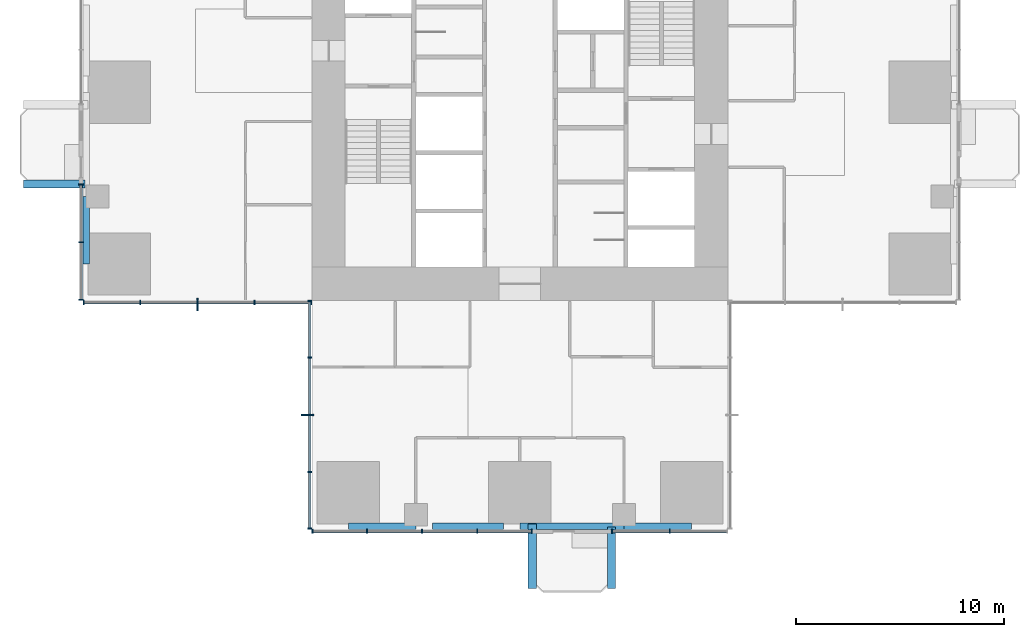
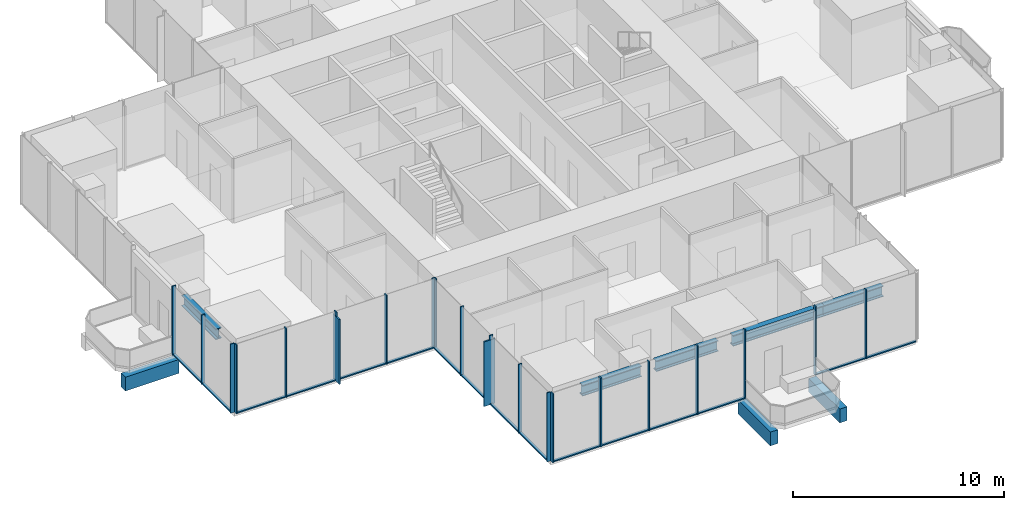
# One storey, part 2 of 13: 38 members, 8 beams, 5 elements without a shape of their own.
"""IFC4 building model written with IfcOpenShell, lengths in metres."""

from ifc_helpers import new_model, si_unit, direction, frame, origin, origin_2d, place, context, subcontext, project, spatial, rectangle, i_section, extrude, material, material_profile, profile_set, type_object, element, aggregate, save


model = new_model("IFC4")

# Units and contexts
model_context = context("Model", 3, precision=1e-05, world=origin(), true_north=direction((0.0, 1.0)))
body_context = subcontext(model_context, "Body", "Model", "MODEL_VIEW")
ifc_project = project(units=[si_unit("LENGTHUNIT", "METRE"), si_unit("AREAUNIT", "SQUARE_METRE"), si_unit("VOLUMEUNIT", "CUBIC_METRE"), si_unit("PLANEANGLEUNIT", "RADIAN"), si_unit("MASSUNIT", "GRAM", prefix="KILO")], contexts=[model_context])

# Site, building, storey
site_placement = place(None, origin())
site = spatial("IfcSite", under=ifc_project, at=site_placement, CompositionType="ELEMENT")
building_placement = place(site_placement, origin())
building = spatial("IfcBuilding", under=site, at=building_placement, Name="Svetlomir Tower", CompositionType="ELEMENT")
storey_placement = place(building_placement, frame((0.0, 0.0, 128.5)))
storey = spatial("IfcBuildingStorey", under=building, at=storey_placement, Name="L30", CompositionType="ELEMENT", Elevation=128.5)

# Beams
ifc_material_1 = material(Name="Concrete C60/75", Category="concrete")
ifc_material_profile_1 = material_profile(ifc_material_1, rectangle(XDim=0.39990234375, YDim=0.800048828125, at=origin_2d()), Name="RC 400x800")
ifc_profile_set_1 = profile_set([ifc_material_profile_1], Name="Concrete C60/75")
beam_type_1 = type_object("IfcBeamType", Name="BALCONY RIB RC 400x800", PredefinedType="BEAM", material=ifc_profile_set_1)
beam_1_placement = place(storey_placement, frame((21.60009765625, 0.25, -0.64990234375), z_axis=(0.0, -1.0, 0.0), x_axis=(1.0, 0.0, 0.0)))
element("IfcBeam", 1, at=beam_1_placement, inside=storey, type_object=beam_type_1, Name="Balcony rib S 1 L30", PredefinedType="BEAM", context=body_context, shape_type="SweptSolid", body=[
    extrude(rectangle(XDim=0.39990234375, YDim=0.800048828125, at=origin_2d()), origin(), (0.0, 0.0, 1.0), 3.10009765625),
])
for number, where, z_axis, x_axis, name in (
    (2, (25.39990234375, 0.10009765625, -0.64990234375), (0.0, -1.0, 0.0), (1.0, 0.0, 0.0), "Balcony rib S 2 L30"),
    (3, (0.10009765625, 16.60009765625, -0.64990234375), (-1.0, 0.0, 0.0), (0.0, -1.0, 0.0), "Balcony rib W 1 L30"),
):
    element("IfcBeam", number, at=place(storey_placement, frame(where, z_axis=z_axis, x_axis=x_axis)), inside=storey, type_object=beam_type_1, Name=name, PredefinedType="BEAM", context=body_context, shape_type="SweptSolid", body=[
        extrude(rectangle(XDim=0.39990234375, YDim=0.800048828125, at=origin_2d()), origin(), (0.0, 0.0, 1.0), 2.9501953125),
    ])

# Curtain wall, member
ifc_material_2 = material(Name="Bronze anodised aluminium curtain wall", Category="aluminium")
curtain_wall_type = type_object("IfcCurtainWallType", Name="CURTAIN WALL CW1 TOWER OFFICE", PredefinedType="NOTDEFINED", material=ifc_material_2)
curtain_wall_1_placement = place(storey_placement, origin())
curtain_wall_1 = element("IfcCurtainWall", 4, at=curtain_wall_1_placement, inside=storey, type_object=curtain_wall_type, Name="Curtain wall CW1 L30", PredefinedType="NOTDEFINED")
ifc_material_3 = material(Name="Bronze anodised aluminium", Category="aluminium")
ifc_material_profile_2 = material_profile(ifc_material_3, rectangle(XDim=0.080078125, YDim=0.60009765625, at=origin_2d()), Name="FIN 80x600")
ifc_profile_set_2 = profile_set([ifc_material_profile_2], Name="Bronze anodised aluminium 6063-T6")
member_type_1 = type_object("IfcMemberType", Name="BRONZE FIN 80x600", PredefinedType="USERDEFINED", material=ifc_profile_set_2)
member_1_placement = place(storey_placement, frame((5.5, 10.800048828125, 0.0), z_axis=(0.0, 0.0, 1.0), x_axis=(1.0, 0.0, 0.0)))
member_1 = element("IfcMember", 5, at=member_1_placement, type_object=member_type_1, Name="Bronze fin L30", ObjectType="FIN", PredefinedType="USERDEFINED", context=body_context, shape_type="SweptSolid", body=[
    extrude(rectangle(XDim=0.080078125, YDim=0.60009765625, at=origin_2d()), origin(), (0.0, 0.0, 1.0), 3.75),
])

curtain_wall_2_placement = place(storey_placement, origin())
curtain_wall_2 = element("IfcCurtainWall", 6, at=curtain_wall_2_placement, inside=storey, type_object=curtain_wall_type, Name="Curtain wall CW1 L30", PredefinedType="NOTDEFINED")
member_2_placement = place(storey_placement, frame((10.800048828125, 5.5, 0.0), z_axis=(0.0, 0.0, 1.0), x_axis=(0.0, 1.0, 0.0)))
member_2 = element("IfcMember", 7, at=member_2_placement, type_object=member_type_1, Name="Bronze fin L30", ObjectType="FIN", PredefinedType="USERDEFINED", context=body_context, shape_type="SweptSolid", body=[
    extrude(rectangle(XDim=0.080078125, YDim=0.60009765625, at=origin_2d()), origin(), (0.0, 0.0, 1.0), 3.75),
])

# Curtain wall, members
curtain_wall_3_placement = place(storey_placement, origin())
curtain_wall_3 = element("IfcCurtainWall", 8, at=curtain_wall_3_placement, inside=storey, type_object=curtain_wall_type, Name="Curtain wall CW1 L30", PredefinedType="NOTDEFINED")
ifc_material_4 = material(Name="Bronze anodised aluminium", Category="aluminium")
ifc_material_profile_3 = material_profile(ifc_material_4, rectangle(XDim=0.06494140625, YDim=0.199951171875, at=origin_2d()), Name="AL 65x200")
ifc_profile_set_3 = profile_set([ifc_material_profile_3], Name="Bronze anodised aluminium 6063-T6")
member_type_2 = type_object("IfcMemberType", Name="CW1 MULLION 65x200", PredefinedType="MULLION", material=ifc_profile_set_3)
member_3_placement = place(storey_placement, frame((11.032470703125, -0.10009765625, 0.0), z_axis=(0.0, 0.0, 1.0), x_axis=(1.0, 0.0, 0.0)))
member_3 = element("IfcMember", 9, at=member_3_placement, type_object=member_type_2, Name="CW1 mullion 1", PredefinedType="MULLION", context=body_context, shape_type="SweptSolid", body=[
    extrude(rectangle(XDim=0.06494140625, YDim=0.199951171875, at=origin_2d()), origin(), (0.0, 0.0, 1.0), 4.0),
])
member_4_placement = place(storey_placement, frame((13.64990234375, -0.10009765625, 0.0), z_axis=(0.0, 0.0, 1.0), x_axis=(1.0, 0.0, 0.0)))
member_4 = element("IfcMember", 10, at=member_4_placement, type_object=member_type_2, Name="CW1 mullion 2", PredefinedType="MULLION", context=body_context, shape_type="SweptSolid", body=[
    extrude(rectangle(XDim=0.06494140625, YDim=0.199951171875, at=origin_2d()), origin(), (0.0, 0.0, 1.0), 4.0),
])
member_5_placement = place(storey_placement, frame((16.300048828125, -0.10009765625, 0.0), z_axis=(0.0, 0.0, 1.0), x_axis=(1.0, 0.0, 0.0)))
member_5 = element("IfcMember", 11, at=member_5_placement, type_object=member_type_2, Name="CW1 mullion 3", PredefinedType="MULLION", context=body_context, shape_type="SweptSolid", body=[
    extrude(rectangle(XDim=0.06494140625, YDim=0.199951171875, at=origin_2d()), origin(), (0.0, 0.0, 1.0), 4.0),
])
member_6_placement = place(storey_placement, frame((18.949951171875, -0.10009765625, 0.0), z_axis=(0.0, 0.0, 1.0), x_axis=(1.0, 0.0, 0.0)))
member_6 = element("IfcMember", 12, at=member_6_placement, type_object=member_type_2, Name="CW1 mullion 4", PredefinedType="MULLION", context=body_context, shape_type="SweptSolid", body=[
    extrude(rectangle(XDim=0.06494140625, YDim=0.199951171875, at=origin_2d()), origin(), (0.0, 0.0, 1.0), 4.0),
])
member_7_placement = place(storey_placement, frame((21.5673828125, -0.10009765625, 0.0), z_axis=(0.0, 0.0, 1.0), x_axis=(1.0, 0.0, 0.0)))
member_7 = element("IfcMember", 13, at=member_7_placement, type_object=member_type_2, Name="CW1 mullion 5", PredefinedType="MULLION", context=body_context, shape_type="SweptSolid", body=[
    extrude(rectangle(XDim=0.06494140625, YDim=0.199951171875, at=origin_2d()), origin(), (0.0, 0.0, 1.0), 4.0),
])

curtain_wall_4_placement = place(storey_placement, origin())
curtain_wall_4 = element("IfcCurtainWall", 14, at=curtain_wall_4_placement, inside=storey, type_object=curtain_wall_type, Name="Curtain wall CW1 L30", PredefinedType="NOTDEFINED")
member_8_placement = place(storey_placement, frame((25.4326171875, -0.10009765625, 0.0), z_axis=(0.0, 0.0, 1.0), x_axis=(1.0, 0.0, 0.0)))
member_8 = element("IfcMember", 15, at=member_8_placement, type_object=member_type_2, Name="CW1 mullion 1", PredefinedType="MULLION", context=body_context, shape_type="SweptSolid", body=[
    extrude(rectangle(XDim=0.06494140625, YDim=0.199951171875, at=origin_2d()), origin(), (0.0, 0.0, 1.0), 4.0),
])
member_9_placement = place(storey_placement, frame((28.199951171875, -0.10009765625, 0.0), z_axis=(0.0, 0.0, 1.0), x_axis=(1.0, 0.0, 0.0)))
member_9 = element("IfcMember", 16, at=member_9_placement, type_object=member_type_2, Name="CW1 mullion 2", PredefinedType="MULLION", context=body_context, shape_type="SweptSolid", body=[
    extrude(rectangle(XDim=0.06494140625, YDim=0.199951171875, at=origin_2d()), origin(), (0.0, 0.0, 1.0), 4.0),
])

curtain_wall_5_placement = place(storey_placement, origin())
curtain_wall_5 = element("IfcCurtainWall", 17, at=curtain_wall_5_placement, inside=storey, type_object=curtain_wall_type, Name="Curtain wall CW1 L30", PredefinedType="NOTDEFINED")
member_10_placement = place(storey_placement, frame((-0.10009765625, 16.5673828125, 0.0), z_axis=(0.0, 0.0, 1.0), x_axis=(0.0, -1.0, 0.0)))
member_10 = element("IfcMember", 18, at=member_10_placement, type_object=member_type_2, Name="CW1 mullion 1", PredefinedType="MULLION", context=body_context, shape_type="SweptSolid", body=[
    extrude(rectangle(XDim=0.06494140625, YDim=0.199951171875, at=origin_2d()), origin(), (0.0, 0.0, 1.0), 4.0),
])
member_11_placement = place(storey_placement, frame((-0.10009765625, 13.800048828125, 0.0), z_axis=(0.0, 0.0, 1.0), x_axis=(0.0, -1.0, 0.0)))
member_11 = element("IfcMember", 19, at=member_11_placement, type_object=member_type_2, Name="CW1 mullion 2", PredefinedType="MULLION", context=body_context, shape_type="SweptSolid", body=[
    extrude(rectangle(XDim=0.06494140625, YDim=0.199951171875, at=origin_2d()), origin(), (0.0, 0.0, 1.0), 4.0),
])
member_12_placement = place(storey_placement, frame((-0.10009765625, 11.032470703125, 0.0), z_axis=(0.0, 0.0, 1.0), x_axis=(0.0, -1.0, 0.0)))
member_12 = element("IfcMember", 20, at=member_12_placement, type_object=member_type_2, Name="CW1 mullion 3", PredefinedType="MULLION", context=body_context, shape_type="SweptSolid", body=[
    extrude(rectangle(XDim=0.06494140625, YDim=0.199951171875, at=origin_2d()), origin(), (0.0, 0.0, 1.0), 4.0),
])

# Member
member_13_placement = place(storey_placement, frame((0.032470703125, 10.89990234375, 0.0), z_axis=(0.0, 0.0, 1.0), x_axis=(1.0, 0.0, 0.0)))
member_13 = element("IfcMember", 21, at=member_13_placement, type_object=member_type_2, Name="CW1 mullion 1", PredefinedType="MULLION", context=body_context, shape_type="SweptSolid", body=[
    extrude(rectangle(XDim=0.06494140625, YDim=0.199951171875, at=origin_2d()), origin(), (0.0, 0.0, 1.0), 4.0),
])

member_14_placement = place(storey_placement, frame((2.75, 10.89990234375, 0.0), z_axis=(0.0, 0.0, 1.0), x_axis=(1.0, 0.0, 0.0)))
member_14 = element("IfcMember", 22, at=member_14_placement, type_object=member_type_2, Name="CW1 mullion 2", PredefinedType="MULLION", context=body_context, shape_type="SweptSolid", body=[
    extrude(rectangle(XDim=0.06494140625, YDim=0.199951171875, at=origin_2d()), origin(), (0.0, 0.0, 1.0), 4.0),
])

member_15_placement = place(storey_placement, frame((5.5, 10.89990234375, 0.0), z_axis=(0.0, 0.0, 1.0), x_axis=(1.0, 0.0, 0.0)))
member_15 = element("IfcMember", 23, at=member_15_placement, type_object=member_type_2, Name="CW1 mullion 3", PredefinedType="MULLION", context=body_context, shape_type="SweptSolid", body=[
    extrude(rectangle(XDim=0.06494140625, YDim=0.199951171875, at=origin_2d()), origin(), (0.0, 0.0, 1.0), 4.0),
])

member_16_placement = place(storey_placement, frame((8.25, 10.89990234375, 0.0), z_axis=(0.0, 0.0, 1.0), x_axis=(1.0, 0.0, 0.0)))
member_16 = element("IfcMember", 24, at=member_16_placement, type_object=member_type_2, Name="CW1 mullion 4", PredefinedType="MULLION", context=body_context, shape_type="SweptSolid", body=[
    extrude(rectangle(XDim=0.06494140625, YDim=0.199951171875, at=origin_2d()), origin(), (0.0, 0.0, 1.0), 4.0),
])

member_17_placement = place(storey_placement, frame((10.967529296875, 10.89990234375, 0.0), z_axis=(0.0, 0.0, 1.0), x_axis=(1.0, 0.0, 0.0)))
member_17 = element("IfcMember", 25, at=member_17_placement, type_object=member_type_2, Name="CW1 mullion 5", PredefinedType="MULLION", context=body_context, shape_type="SweptSolid", body=[
    extrude(rectangle(XDim=0.06494140625, YDim=0.199951171875, at=origin_2d()), origin(), (0.0, 0.0, 1.0), 4.0),
])

member_18_placement = place(storey_placement, frame((10.89990234375, 10.967529296875, 0.0), z_axis=(0.0, 0.0, 1.0), x_axis=(0.0, -1.0, 0.0)))
member_18 = element("IfcMember", 26, at=member_18_placement, type_object=member_type_2, Name="CW1 mullion 1", PredefinedType="MULLION", context=body_context, shape_type="SweptSolid", body=[
    extrude(rectangle(XDim=0.06494140625, YDim=0.199951171875, at=origin_2d()), origin(), (0.0, 0.0, 1.0), 4.0),
])

member_19_placement = place(storey_placement, frame((10.89990234375, 8.25, 0.0), z_axis=(0.0, 0.0, 1.0), x_axis=(0.0, -1.0, 0.0)))
member_19 = element("IfcMember", 27, at=member_19_placement, type_object=member_type_2, Name="CW1 mullion 2", PredefinedType="MULLION", context=body_context, shape_type="SweptSolid", body=[
    extrude(rectangle(XDim=0.06494140625, YDim=0.199951171875, at=origin_2d()), origin(), (0.0, 0.0, 1.0), 4.0),
])

member_20_placement = place(storey_placement, frame((10.89990234375, 5.5, 0.0), z_axis=(0.0, 0.0, 1.0), x_axis=(0.0, -1.0, 0.0)))
member_20 = element("IfcMember", 28, at=member_20_placement, type_object=member_type_2, Name="CW1 mullion 3", PredefinedType="MULLION", context=body_context, shape_type="SweptSolid", body=[
    extrude(rectangle(XDim=0.06494140625, YDim=0.199951171875, at=origin_2d()), origin(), (0.0, 0.0, 1.0), 4.0),
])

member_21_placement = place(storey_placement, frame((10.89990234375, 2.75, 0.0), z_axis=(0.0, 0.0, 1.0), x_axis=(0.0, -1.0, 0.0)))
member_21 = element("IfcMember", 29, at=member_21_placement, type_object=member_type_2, Name="CW1 mullion 4", PredefinedType="MULLION", context=body_context, shape_type="SweptSolid", body=[
    extrude(rectangle(XDim=0.06494140625, YDim=0.199951171875, at=origin_2d()), origin(), (0.0, 0.0, 1.0), 4.0),
])

member_22_placement = place(storey_placement, frame((10.89990234375, 0.032470703125, 0.0), z_axis=(0.0, 0.0, 1.0), x_axis=(0.0, -1.0, 0.0)))
member_22 = element("IfcMember", 30, at=member_22_placement, type_object=member_type_2, Name="CW1 mullion 5", PredefinedType="MULLION", context=body_context, shape_type="SweptSolid", body=[
    extrude(rectangle(XDim=0.06494140625, YDim=0.199951171875, at=origin_2d()), origin(), (0.0, 0.0, 1.0), 4.0),
])

ifc_material_5 = material(Name="Bronze anodised aluminium", Category="aluminium")
ifc_material_profile_4 = material_profile(ifc_material_5, rectangle(XDim=0.139892578125, YDim=0.06494140625, at=origin_2d()), Name="AL 140x65")
ifc_profile_set_4 = profile_set([ifc_material_profile_4], Name="Bronze anodised aluminium 6063-T6")
member_type_3 = type_object("IfcMemberType", Name="CW1 TRANSOM 65x140", PredefinedType="USERDEFINED", material=ifc_profile_set_4)
member_23_placement = place(storey_placement, frame((11.06494140625, -0.10009765625, 0.032470703125), z_axis=(1.0, 0.0, 0.0), x_axis=(0.0, 1.0, 0.0)))
member_23 = element("IfcMember", 31, at=member_23_placement, type_object=member_type_3, Name="CW1 transom 1.1", ObjectType="TRANSOM", PredefinedType="USERDEFINED", context=body_context, shape_type="SweptSolid", body=[
    extrude(rectangle(XDim=0.139892578125, YDim=0.06494140625, at=origin_2d()), origin(), (0.0, 0.0, 1.0), 2.552490234375),
])

member_24_placement = place(storey_placement, frame((13.6826171875, -0.10009765625, 0.032470703125), z_axis=(1.0, 0.0, 0.0), x_axis=(0.0, 1.0, 0.0)))
member_24 = element("IfcMember", 32, at=member_24_placement, type_object=member_type_3, Name="CW1 transom 2.1", ObjectType="TRANSOM", PredefinedType="USERDEFINED", context=body_context, shape_type="SweptSolid", body=[
    extrude(rectangle(XDim=0.139892578125, YDim=0.06494140625, at=origin_2d()), origin(), (0.0, 0.0, 1.0), 2.5849609375),
])

member_25_placement = place(storey_placement, frame((16.33251953125, -0.10009765625, 0.032470703125), z_axis=(1.0, 0.0, 0.0), x_axis=(0.0, 1.0, 0.0)))
member_25 = element("IfcMember", 33, at=member_25_placement, type_object=member_type_3, Name="CW1 transom 3.1", ObjectType="TRANSOM", PredefinedType="USERDEFINED", context=body_context, shape_type="SweptSolid", body=[
    extrude(rectangle(XDim=0.139892578125, YDim=0.06494140625, at=origin_2d()), origin(), (0.0, 0.0, 1.0), 2.5849609375),
])

member_26_placement = place(storey_placement, frame((18.982421875, -0.10009765625, 0.032470703125), z_axis=(1.0, 0.0, 0.0), x_axis=(0.0, 1.0, 0.0)))
member_26 = element("IfcMember", 34, at=member_26_placement, type_object=member_type_3, Name="CW1 transom 4.1", ObjectType="TRANSOM", PredefinedType="USERDEFINED", context=body_context, shape_type="SweptSolid", body=[
    extrude(rectangle(XDim=0.139892578125, YDim=0.06494140625, at=origin_2d()), origin(), (0.0, 0.0, 1.0), 2.552490234375),
])

aggregate(curtain_wall_3, [member_3, member_4, member_5, member_6, member_7, member_23, member_24, member_25, member_26])

member_27_placement = place(storey_placement, frame((25.465087890625, -0.10009765625, 0.032470703125), z_axis=(1.0, 0.0, 0.0), x_axis=(0.0, 1.0, 0.0)))
member_27 = element("IfcMember", 35, at=member_27_placement, type_object=member_type_3, Name="CW1 transom 1.1", ObjectType="TRANSOM", PredefinedType="USERDEFINED", context=body_context, shape_type="SweptSolid", body=[
    extrude(rectangle(XDim=0.139892578125, YDim=0.06494140625, at=origin_2d()), origin(), (0.0, 0.0, 1.0), 2.702392578125),
])

member_28_placement = place(storey_placement, frame((28.232421875, -0.10009765625, 0.032470703125), z_axis=(1.0, 0.0, 0.0), x_axis=(0.0, 1.0, 0.0)))
member_28 = element("IfcMember", 36, at=member_28_placement, type_object=member_type_3, Name="CW1 transom 2.1", ObjectType="TRANSOM", PredefinedType="USERDEFINED", context=body_context, shape_type="SweptSolid", body=[
    extrude(rectangle(XDim=0.139892578125, YDim=0.06494140625, at=origin_2d()), origin(), (0.0, 0.0, 1.0), 2.70263671875),
])

aggregate(curtain_wall_4, [member_8, member_9, member_27, member_28])

member_29_placement = place(storey_placement, frame((-0.10009765625, 16.534912109375, 0.032470703125), z_axis=(0.0, -1.0, 0.0), x_axis=(1.0, 0.0, 0.0)))
member_29 = element("IfcMember", 37, at=member_29_placement, type_object=member_type_3, Name="CW1 transom 1.1", ObjectType="TRANSOM", PredefinedType="USERDEFINED", context=body_context, shape_type="SweptSolid", body=[
    extrude(rectangle(XDim=0.139892578125, YDim=0.06494140625, at=origin_2d()), origin(), (0.0, 0.0, 1.0), 2.702392578125),
])

member_30_placement = place(storey_placement, frame((-0.10009765625, 13.767578125, 0.032470703125), z_axis=(0.0, -1.0, 0.0), x_axis=(1.0, 0.0, 0.0)))
member_30 = element("IfcMember", 38, at=member_30_placement, type_object=member_type_3, Name="CW1 transom 2.1", ObjectType="TRANSOM", PredefinedType="USERDEFINED", context=body_context, shape_type="SweptSolid", body=[
    extrude(rectangle(XDim=0.139892578125, YDim=0.06494140625, at=origin_2d()), origin(), (0.0, 0.0, 1.0), 2.70263671875),
])

aggregate(curtain_wall_5, [member_10, member_11, member_12, member_29, member_30])

member_31_placement = place(storey_placement, frame((0.06494140625, 10.89990234375, 0.032470703125), z_axis=(1.0, 0.0, 0.0), x_axis=(0.0, 1.0, 0.0)))
member_31 = element("IfcMember", 39, at=member_31_placement, type_object=member_type_3, Name="CW1 transom 1.1", ObjectType="TRANSOM", PredefinedType="USERDEFINED", context=body_context, shape_type="SweptSolid", body=[
    extrude(rectangle(XDim=0.139892578125, YDim=0.06494140625, at=origin_2d()), origin(), (0.0, 0.0, 1.0), 2.652587890625),
])

member_32_placement = place(storey_placement, frame((2.782470703125, 10.89990234375, 0.032470703125), z_axis=(1.0, 0.0, 0.0), x_axis=(0.0, 1.0, 0.0)))
member_32 = element("IfcMember", 40, at=member_32_placement, type_object=member_type_3, Name="CW1 transom 2.1", ObjectType="TRANSOM", PredefinedType="USERDEFINED", context=body_context, shape_type="SweptSolid", body=[
    extrude(rectangle(XDim=0.139892578125, YDim=0.06494140625, at=origin_2d()), origin(), (0.0, 0.0, 1.0), 2.68505859375),
])

member_33_placement = place(storey_placement, frame((5.532470703125, 10.89990234375, 0.032470703125), z_axis=(1.0, 0.0, 0.0), x_axis=(0.0, 1.0, 0.0)))
member_33 = element("IfcMember", 41, at=member_33_placement, type_object=member_type_3, Name="CW1 transom 3.1", ObjectType="TRANSOM", PredefinedType="USERDEFINED", context=body_context, shape_type="SweptSolid", body=[
    extrude(rectangle(XDim=0.139892578125, YDim=0.06494140625, at=origin_2d()), origin(), (0.0, 0.0, 1.0), 2.68505859375),
])

member_34_placement = place(storey_placement, frame((8.282470703125, 10.89990234375, 0.032470703125), z_axis=(1.0, 0.0, 0.0), x_axis=(0.0, 1.0, 0.0)))
member_34 = element("IfcMember", 42, at=member_34_placement, type_object=member_type_3, Name="CW1 transom 4.1", ObjectType="TRANSOM", PredefinedType="USERDEFINED", context=body_context, shape_type="SweptSolid", body=[
    extrude(rectangle(XDim=0.139892578125, YDim=0.06494140625, at=origin_2d()), origin(), (0.0, 0.0, 1.0), 2.652587890625),
])

aggregate(curtain_wall_1, [member_13, member_14, member_15, member_16, member_17, member_31, member_32, member_33, member_34, member_1])

member_35_placement = place(storey_placement, frame((10.89990234375, 10.93505859375, 0.032470703125), z_axis=(0.0, -1.0, 0.0), x_axis=(1.0, 0.0, 0.0)))
member_35 = element("IfcMember", 43, at=member_35_placement, type_object=member_type_3, Name="CW1 transom 1.1", ObjectType="TRANSOM", PredefinedType="USERDEFINED", context=body_context, shape_type="SweptSolid", body=[
    extrude(rectangle(XDim=0.139892578125, YDim=0.06494140625, at=origin_2d()), origin(), (0.0, 0.0, 1.0), 2.652587890625),
])

member_36_placement = place(storey_placement, frame((10.89990234375, 8.217529296875, 0.032470703125), z_axis=(0.0, -1.0, 0.0), x_axis=(1.0, 0.0, 0.0)))
member_36 = element("IfcMember", 44, at=member_36_placement, type_object=member_type_3, Name="CW1 transom 2.1", ObjectType="TRANSOM", PredefinedType="USERDEFINED", context=body_context, shape_type="SweptSolid", body=[
    extrude(rectangle(XDim=0.139892578125, YDim=0.06494140625, at=origin_2d()), origin(), (0.0, 0.0, 1.0), 2.68505859375),
])

member_37_placement = place(storey_placement, frame((10.89990234375, 5.467529296875, 0.032470703125), z_axis=(0.0, -1.0, 0.0), x_axis=(1.0, 0.0, 0.0)))
member_37 = element("IfcMember", 45, at=member_37_placement, type_object=member_type_3, Name="CW1 transom 3.1", ObjectType="TRANSOM", PredefinedType="USERDEFINED", context=body_context, shape_type="SweptSolid", body=[
    extrude(rectangle(XDim=0.139892578125, YDim=0.06494140625, at=origin_2d()), origin(), (0.0, 0.0, 1.0), 2.68505859375),
])

member_38_placement = place(storey_placement, frame((10.89990234375, 2.717529296875, 0.032470703125), z_axis=(0.0, -1.0, 0.0), x_axis=(1.0, 0.0, 0.0)))
member_38 = element("IfcMember", 46, at=member_38_placement, type_object=member_type_3, Name="CW1 transom 4.1", ObjectType="TRANSOM", PredefinedType="USERDEFINED", context=body_context, shape_type="SweptSolid", body=[
    extrude(rectangle(XDim=0.139892578125, YDim=0.06494140625, at=origin_2d()), origin(), (0.0, 0.0, 1.0), 2.652587890625),
])

aggregate(curtain_wall_2, [member_18, member_19, member_20, member_21, member_22, member_35, member_36, member_37, member_38, member_2])

# Beams
ifc_material_6 = material(Name="Steel S355", Category="steel")
ifc_material_profile_5 = material_profile(ifc_material_6, i_section(OverallWidth=0.304931640625, OverallDepth=0.6201171875, WebThickness=0.02099609375, FlangeThickness=0.0400390625, FilletRadius=0.027099609375, at=origin_2d()), Name="HEM 600")
ifc_profile_set_5 = profile_set([ifc_material_profile_5], Name="Steel S355")
beam_type_2 = type_object("IfcBeamType", Name="EDGE BEAM HEM 600", PredefinedType="SPANDREL", material=ifc_profile_set_5)
for number, where, z_axis, x_axis, name in (
    (47, (12.75, 0.152587890625, 3.43994140625), (1.0, 0.0, 0.0), (0.0, 1.0, 0.0), "Edge beam 11/0 to 16/0 under L31"),
    (48, (0.152587890625, 12.75, 3.43994140625), (0.0, 1.0, 0.0), (-1.0, 0.0, 0.0), "Edge beam 0/11 to 0/16 under L31"),
):
    element("IfcBeam", number, at=place(storey_placement, frame(where, z_axis=z_axis, x_axis=x_axis)), inside=storey, type_object=beam_type_2, Name=name, PredefinedType="SPANDREL", context=body_context, shape_type="SweptSolid", body=[
        extrude(i_section(OverallWidth=0.304931640625, OverallDepth=0.6201171875, WebThickness=0.02099609375, FlangeThickness=0.0400390625, FilletRadius=0.027099609375, at=origin_2d()), origin(), (0.0, 0.0, 1.0), 3.25),
    ])
beam_2_placement = place(storey_placement, frame((16.800048828125, 0.152587890625, 3.43994140625), z_axis=(1.0, 0.0, 0.0), x_axis=(0.0, 1.0, 0.0)))
element("IfcBeam", 49, at=beam_2_placement, inside=storey, type_object=beam_type_2, Name="Edge beam 16/0 to 21/0 under L31", PredefinedType="SPANDREL", context=body_context, shape_type="SweptSolid", body=[
    extrude(i_section(OverallWidth=0.304931640625, OverallDepth=0.6201171875, WebThickness=0.02099609375, FlangeThickness=0.0400390625, FilletRadius=0.027099609375, at=origin_2d()), origin(), (0.0, 0.0, 1.0), 3.39990234375),
])
beam_3_placement = place(storey_placement, frame((21.0, 0.152587890625, 3.43994140625), z_axis=(1.0, 0.0, 0.0), x_axis=(0.0, 1.0, 0.0)))
element("IfcBeam", 50, at=beam_3_placement, inside=storey, type_object=beam_type_2, Name="Edge beam 21/0 to 26/0 under L31", PredefinedType="SPANDREL", context=body_context, shape_type="SweptSolid", body=[
    extrude(i_section(OverallWidth=0.304931640625, OverallDepth=0.6201171875, WebThickness=0.02099609375, FlangeThickness=0.0400390625, FilletRadius=0.027099609375, at=origin_2d()), origin(), (0.0, 0.0, 1.0), 5.0),
])
beam_4_placement = place(storey_placement, frame((26.0, 0.152587890625, 3.43994140625), z_axis=(1.0, 0.0, 0.0), x_axis=(0.0, 1.0, 0.0)))
element("IfcBeam", 51, at=beam_4_placement, inside=storey, type_object=beam_type_2, Name="Edge beam 26/0 to 31/0 under L31", PredefinedType="SPANDREL", context=body_context, shape_type="SweptSolid", body=[
    extrude(i_section(OverallWidth=0.304931640625, OverallDepth=0.6201171875, WebThickness=0.02099609375, FlangeThickness=0.0400390625, FilletRadius=0.027099609375, at=origin_2d()), origin(), (0.0, 0.0, 1.0), 3.25),
])

save(model, "model.ifc")
